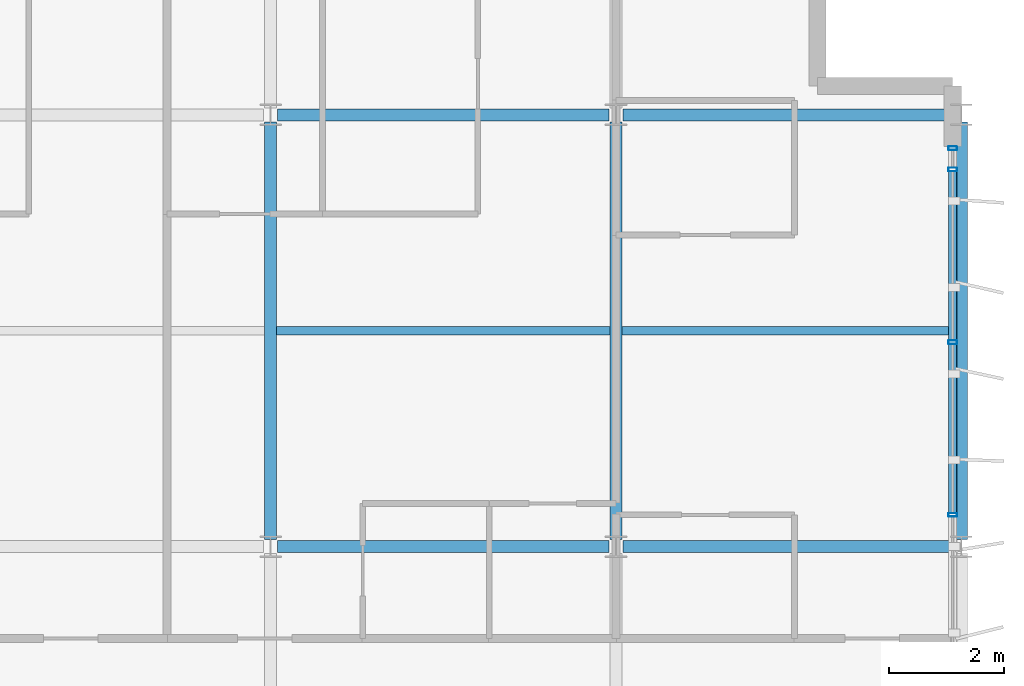
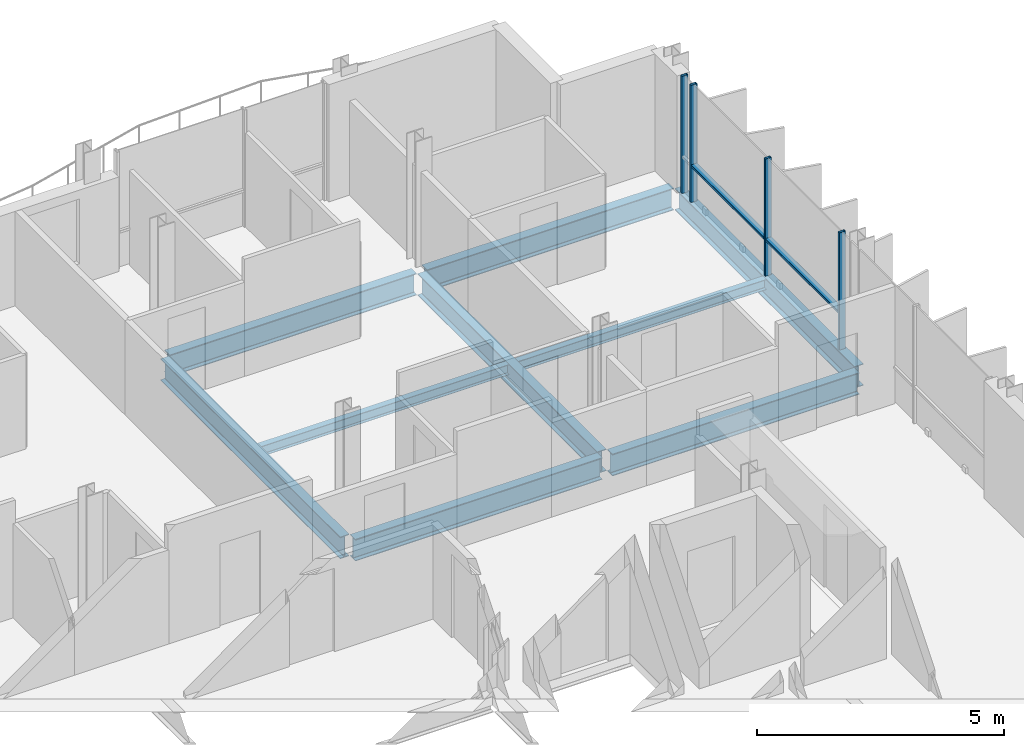
# One storey, part 13 of 30: 9 beams, 6 members, 1 element without a shape of its own.
"""IFC4 building model written with IfcOpenShell, lengths in metres."""

from ifc_helpers import new_model, si_unit, direction, frame, origin, origin_2d, place, context, subcontext, project, spatial, hollow_rectangle, i_section, extrude, material, layer, layer_set, material_profile, profile_set, type_object, element, aggregate, save


model = new_model("IFC4")

# Units and contexts
model_context = context("Model", 3, precision=1e-05, world=origin(), true_north=direction((0.0, 1.0)))
body_context = subcontext(model_context, "Body", "Model", "MODEL_VIEW")
ifc_project = project(units=[si_unit("LENGTHUNIT", "METRE"), si_unit("AREAUNIT", "SQUARE_METRE"), si_unit("VOLUMEUNIT", "CUBIC_METRE"), si_unit("PLANEANGLEUNIT", "RADIAN"), si_unit("MASSUNIT", "GRAM", prefix="KILO")], contexts=[model_context])

# Site, building, storey
site_placement = place(None, origin())
site = spatial("IfcSite", under=ifc_project, at=site_placement, CompositionType="ELEMENT")
building_placement = place(site_placement, origin())
building = spatial("IfcBuilding", under=site, at=building_placement, Name="Brevholm Reach", CompositionType="ELEMENT")
storey_placement = place(building_placement, frame((0.0, 0.0, 204.89990234375)))
storey = spatial("IfcBuildingStorey", under=building, at=storey_placement, Name="L62", CompositionType="ELEMENT", Elevation=204.89990234375)

# Beams
ifc_material_1 = material(Name="Structural Steel S355J2", Category="steel")
ifc_material_profile_1 = material_profile(ifc_material_1, i_section(OverallWidth=0.14599609375, OverallDepth=0.25146484375, WebThickness=0.006103515625, FlangeThickness=0.008544921875, FilletRadius=0.007568359375, at=origin_2d()), Name="UKB 254x146x31")
ifc_profile_set_1 = profile_set([ifc_material_profile_1], Name="Structural Steel S355J2")
beam_type_1 = type_object("IfcBeamType", Name="BM-B254", PredefinedType="BEAM", material=ifc_profile_set_1)
beam_1_placement = place(storey_placement, frame((48.10546875, 19.75, -0.335693359375), z_axis=(1.0, 0.0, 0.0), x_axis=(0.0, 1.0, 0.0)))
element("IfcBeam", 1, at=beam_1_placement, inside=storey, type_object=beam_type_1, Name="L62 Composite Secondary Floor Beam", PredefinedType="BEAM", context=body_context, shape_type="SweptSolid", body=[
    extrude(i_section(OverallWidth=0.14599609375, OverallDepth=0.25146484375, WebThickness=0.006103515625, FlangeThickness=0.008544921875, FilletRadius=0.007568359375, at=origin_2d()), origin(), (0.0, 0.0, 1.0), 5.7890625),
])
beam_2_placement = place(storey_placement, frame((54.10546875, 19.75, -0.335693359375), z_axis=(1.0, 0.0, 0.0), x_axis=(0.0, 1.0, 0.0)))
element("IfcBeam", 2, at=beam_2_placement, inside=storey, type_object=beam_type_1, Name="L62 Composite Secondary Floor Beam", PredefinedType="BEAM", context=body_context, shape_type="SweptSolid", body=[
    extrude(i_section(OverallWidth=0.14599609375, OverallDepth=0.25146484375, WebThickness=0.006103515625, FlangeThickness=0.008544921875, FilletRadius=0.007568359375, at=origin_2d()), origin(), (0.0, 0.0, 1.0), 5.789794921875),
])
ifc_material_2 = material(Name="Structural Steel S355J2", Category="steel")
ifc_material_profile_2 = material_profile(ifc_material_2, i_section(OverallWidth=0.209228515625, OverallDepth=0.533203125, WebThickness=0.010009765625, FlangeThickness=0.015625, FilletRadius=0.0126953125, at=origin_2d()), Name="UKB 533x210x92")
ifc_profile_set_2 = profile_set([ifc_material_profile_2], Name="Structural Steel S355J2")
beam_type_2 = type_object("IfcBeamType", Name="BM-SP533", PredefinedType="SPANDREL", material=ifc_profile_set_2)
beam_3_placement = place(storey_placement, frame((60.0, 16.1201171875, -0.4765625), z_axis=(0.0, 1.0, 0.0), x_axis=(-1.0, 0.0, 0.0)))
element("IfcBeam", 3, at=beam_3_placement, inside=storey, type_object=beam_type_2, Name="L62 SP-02 Framing Beam", PredefinedType="SPANDREL", context=body_context, shape_type="SweptSolid", body=[
    extrude(i_section(OverallWidth=0.209228515625, OverallDepth=0.533203125, WebThickness=0.010009765625, FlangeThickness=0.015625, FilletRadius=0.0126953125, at=origin_2d()), origin(), (0.0, 0.0, 1.0), 7.259765625),
])
ifc_material_3 = material(Name="Structural Steel S355J2", Category="steel")
ifc_material_profile_3 = material_profile(ifc_material_3, i_section(OverallWidth=0.210693359375, OverallDepth=0.53955078125, WebThickness=0.01171875, FlangeThickness=0.018798828125, FilletRadius=0.0126953125, at=origin_2d()), Name="UKB 533x210x109")
ifc_profile_set_3 = profile_set([ifc_material_profile_3], Name="Structural Steel S355J2")
beam_type_3 = type_object("IfcBeamType", Name="BM-SP539", PredefinedType="SPANDREL", material=ifc_profile_set_3)
for number, where, z_axis, x_axis, name in (
    (4, (48.1201171875, 16.0, -0.479736328125), (1.0, 0.0, 0.0), (0.0, 1.0, 0.0), "L62 SP-01B Framing Beam"),
    (5, (54.1201171875, 16.0, -0.479736328125), (1.0, 0.0, 0.0), (0.0, 1.0, 0.0), "L62 SP-01B Framing Beam"),
    (6, (48.1201171875, 23.5, -0.479736328125), (1.0, 0.0, 0.0), (0.0, 1.0, 0.0), "L62 SP-01B Framing Beam"),
    (7, (54.1201171875, 23.5, -0.479736328125), (1.0, 0.0, 0.0), (0.0, 1.0, 0.0), "L62 SP-01B Framing Beam"),
):
    element("IfcBeam", number, at=place(storey_placement, frame(where, z_axis=z_axis, x_axis=x_axis)), inside=storey, type_object=beam_type_3, Name=name, PredefinedType="SPANDREL", context=body_context, shape_type="SweptSolid", body=[
        extrude(i_section(OverallWidth=0.210693359375, OverallDepth=0.53955078125, WebThickness=0.01171875, FlangeThickness=0.018798828125, FilletRadius=0.0126953125, at=origin_2d()), origin(), (0.0, 0.0, 1.0), 5.759765625),
    ])
for number, where, z_axis, x_axis, name in (
    (8, (48.0, 16.1201171875, -0.479736328125), (0.0, 1.0, 0.0), (-1.0, 0.0, 0.0), "L62 SP-01B Framing Beam"),
    (9, (54.0, 16.1201171875, -0.479736328125), (0.0, 1.0, 0.0), (-1.0, 0.0, 0.0), "L62 SP-01B Framing Beam"),
):
    element("IfcBeam", number, at=place(storey_placement, frame(where, z_axis=z_axis, x_axis=x_axis)), inside=storey, type_object=beam_type_3, Name=name, PredefinedType="SPANDREL", context=body_context, shape_type="SweptSolid", body=[
        extrude(i_section(OverallWidth=0.210693359375, OverallDepth=0.53955078125, WebThickness=0.01171875, FlangeThickness=0.018798828125, FilletRadius=0.0126953125, at=origin_2d()), origin(), (0.0, 0.0, 1.0), 7.259765625),
    ])

# Curtain wall, members
ifc_material_4 = material(Name="Dark Anodised Aluminium 6063-T6 and Solar-Control Glass", Category="aluminium")
ifc_layer = layer(ifc_material_4, 0.14990234375)
ifc_layer_set = layer_set([ifc_layer], Name="Dark Anodised Aluminium 6063-T6 and Solar-Control Glass")
curtain_wall_type = type_object("IfcCurtainWallType", Name="CW-01", PredefinedType="NOTDEFINED", material=ifc_layer_set)
curtain_wall_placement = place(storey_placement, origin())
curtain_wall = element("IfcCurtainWall", 10, at=curtain_wall_placement, inside=storey, type_object=curtain_wall_type, Name="L62 Curtain Wall CW-01", PredefinedType="NOTDEFINED")
ifc_material_5 = material(Name="Dark Anodised Aluminium 6063-T6", Category="aluminium")
ifc_material_profile_4 = material_profile(ifc_material_5, hollow_rectangle(XDim=0.06494140625, YDim=0.14990234375, WallThickness=0.0048828125, InnerFilletRadius=0.0048828125, OuterFilletRadius=0.010009765625, at=origin_2d()), Name="RHS 150x65x5")
ifc_profile_set_4 = profile_set([ifc_material_profile_4], Name="Dark Anodised Aluminium 6063-T6")
member_type_1 = type_object("IfcMemberType", Name="CWM-150", PredefinedType="MULLION", material=ifc_profile_set_4)
member_1_placement = place(storey_placement, frame((59.85009765625, 16.550048828125, 0.0), z_axis=(0.0, 0.0, 1.0), x_axis=(0.0, 1.0, 0.0)))
member_1 = element("IfcMember", 11, at=member_1_placement, type_object=member_type_1, Name="CM-150 Mullion 3", PredefinedType="MULLION", context=body_context, shape_type="SweptSolid", body=[
    extrude(hollow_rectangle(XDim=0.06494140625, YDim=0.14990234375, WallThickness=0.0048828125, InnerFilletRadius=0.0048828125, OuterFilletRadius=0.010009765625, at=origin_2d()), origin(), (0.0, 0.0, 1.0), 2.89013671875),
])
member_2_placement = place(storey_placement, frame((59.85009765625, 19.550048828125, 0.0), z_axis=(0.0, 0.0, 1.0), x_axis=(0.0, 1.0, 0.0)))
member_2 = element("IfcMember", 12, at=member_2_placement, type_object=member_type_1, Name="CM-150 Mullion 4", PredefinedType="MULLION", context=body_context, shape_type="SweptSolid", body=[
    extrude(hollow_rectangle(XDim=0.06494140625, YDim=0.14990234375, WallThickness=0.0048828125, InnerFilletRadius=0.0048828125, OuterFilletRadius=0.010009765625, at=origin_2d()), origin(), (0.0, 0.0, 1.0), 2.89013671875),
])
member_3_placement = place(storey_placement, frame((59.85009765625, 22.550048828125, 0.0), z_axis=(0.0, 0.0, 1.0), x_axis=(0.0, 1.0, 0.0)))
member_3 = element("IfcMember", 13, at=member_3_placement, type_object=member_type_1, Name="CM-150 Mullion 5", PredefinedType="MULLION", context=body_context, shape_type="SweptSolid", body=[
    extrude(hollow_rectangle(XDim=0.06494140625, YDim=0.14990234375, WallThickness=0.0048828125, InnerFilletRadius=0.0048828125, OuterFilletRadius=0.010009765625, at=origin_2d()), origin(), (0.0, 0.0, 1.0), 2.89013671875),
])
member_4_placement = place(storey_placement, frame((59.85009765625, 22.91748046875, 0.0), z_axis=(0.0, 0.0, 1.0), x_axis=(0.0, 1.0, 0.0)))
member_4 = element("IfcMember", 14, at=member_4_placement, type_object=member_type_1, Name="CM-150 Mullion 6", PredefinedType="MULLION", context=body_context, shape_type="SweptSolid", body=[
    extrude(hollow_rectangle(XDim=0.06494140625, YDim=0.14990234375, WallThickness=0.0048828125, InnerFilletRadius=0.0048828125, OuterFilletRadius=0.010009765625, at=origin_2d()), origin(), (0.0, 0.0, 1.0), 2.89013671875),
])
ifc_material_6 = material(Name="Dark Anodised Aluminium 6063-T6", Category="aluminium")
ifc_material_profile_5 = material_profile(ifc_material_6, hollow_rectangle(XDim=0.06494140625, YDim=0.14990234375, WallThickness=0.0048828125, InnerFilletRadius=0.0048828125, OuterFilletRadius=0.010009765625, at=origin_2d()), Name="RHS 150x65x5")
ifc_profile_set_5 = profile_set([ifc_material_profile_5], Name="Dark Anodised Aluminium 6063-T6")
member_type_2 = type_object("IfcMemberType", Name="CWT-150", PredefinedType="NOTDEFINED", material=ifc_profile_set_5)
member_5_placement = place(storey_placement, frame((59.85009765625, 16.58251953125, 0.900146484375), z_axis=(0.0, 1.0, 0.0), x_axis=(0.0, 0.0, 1.0)))
member_5 = element("IfcMember", 15, at=member_5_placement, type_object=member_type_2, Name="CT-150 Transom 3.1", ObjectType="TRANSOM", PredefinedType="USERDEFINED", context=body_context, shape_type="SweptSolid", body=[
    extrude(hollow_rectangle(XDim=0.06494140625, YDim=0.14990234375, WallThickness=0.0048828125, InnerFilletRadius=0.0048828125, OuterFilletRadius=0.010009765625, at=origin_2d()), origin(), (0.0, 0.0, 1.0), 2.93505859375),
])
member_6_placement = place(storey_placement, frame((59.85009765625, 19.58251953125, 0.900146484375), z_axis=(0.0, 1.0, 0.0), x_axis=(0.0, 0.0, 1.0)))
member_6 = element("IfcMember", 16, at=member_6_placement, type_object=member_type_2, Name="CT-150 Transom 4.1", ObjectType="TRANSOM", PredefinedType="USERDEFINED", context=body_context, shape_type="SweptSolid", body=[
    extrude(hollow_rectangle(XDim=0.06494140625, YDim=0.14990234375, WallThickness=0.0048828125, InnerFilletRadius=0.0048828125, OuterFilletRadius=0.010009765625, at=origin_2d()), origin(), (0.0, 0.0, 1.0), 2.93505859375),
])
aggregate(curtain_wall, [member_1, member_2, member_3, member_4, member_5, member_6])

save(model, "model.ifc")
